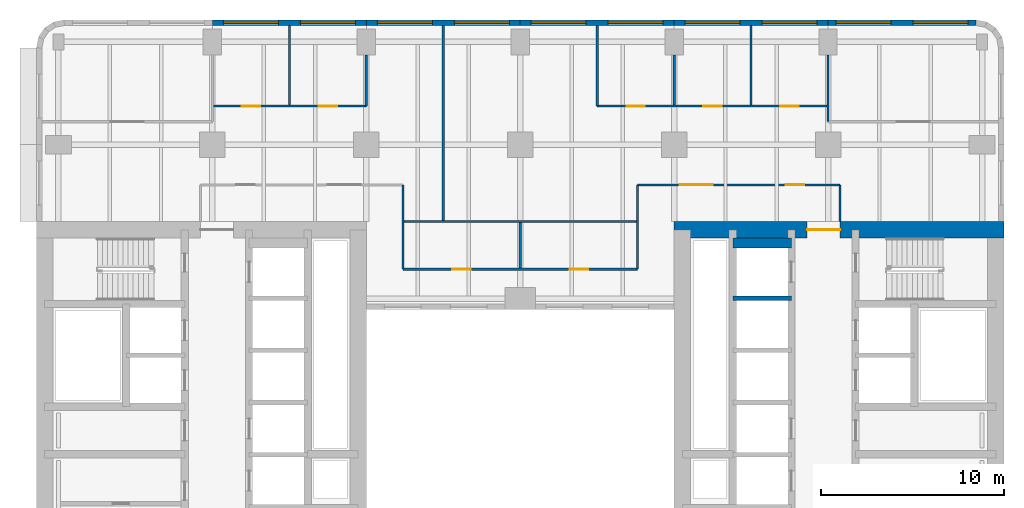
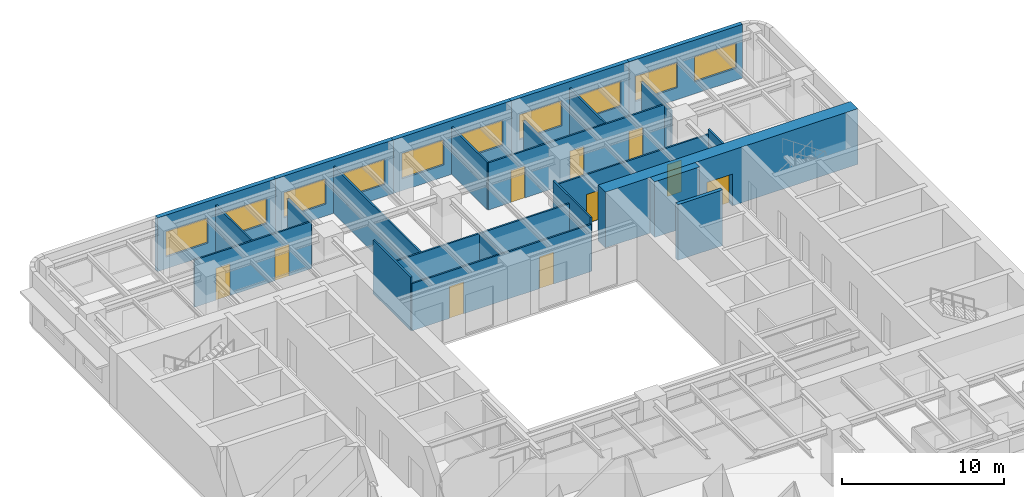
# One storey, part 7 of 11: 24 walls, 10 doors, 10 windows, 20 openings.
"""IFC4 building model written with IfcOpenShell, lengths in metres."""

from ifc_helpers import new_model, si_unit, direction, frame, frame_2d, origin, place, context, subcontext, project, spatial, rectangle, extrude, material, layer, layer_set, type_object, element, fill, save


model = new_model("IFC4")

# Units and contexts
model_context = context("Model", 3, precision=1e-05, world=origin(), true_north=direction((0.0, 1.0)))
body_context = subcontext(model_context, "Body", "Model", "MODEL_VIEW")
ifc_project = project(units=[si_unit("LENGTHUNIT", "METRE"), si_unit("AREAUNIT", "SQUARE_METRE"), si_unit("VOLUMEUNIT", "CUBIC_METRE"), si_unit("PLANEANGLEUNIT", "RADIAN"), si_unit("MASSUNIT", "GRAM", prefix="KILO")], contexts=[model_context])

# Site, building, storey
site_placement = place(None, origin())
site = spatial("IfcSite", under=ifc_project, at=site_placement, CompositionType="ELEMENT")
building_placement = place(site_placement, origin())
building = spatial("IfcBuilding", under=site, at=building_placement, Name="Claustro Exchange Tower", CompositionType="ELEMENT")
storey_placement = place(building_placement, frame((0.0, 0.0, 155.39990234375)))
storey = spatial("IfcBuildingStorey", under=building, at=storey_placement, Name="L35", CompositionType="ELEMENT", Elevation=155.39990234375)

# Wall, openings, doors
ifc_material_1 = material(Name="Laminated glass in aluminium frame", Category="aluminium")
ifc_layer_1 = layer(ifc_material_1, 0.1201171875)
ifc_layer_set_1 = layer_set([ifc_layer_1], Name="Laminated glass in aluminium frame")
wall_type_1 = type_object("IfcWallType", Name="P2 120 glazed partition", PredefinedType="PARTITIONING", material=ifc_layer_set_1)
wall_1_placement = place(storey_placement, frame((8.4580078125, 44.10009765625, 0.0), z_axis=(0.0, 0.0, 1.0), x_axis=(1.0, 0.0, 0.0)))
wall_1 = element("IfcWall", 1, at=wall_1_placement, inside=storey, type_object=wall_type_1, Name="Partition P2 L35", PredefinedType="PARTITIONING", context=body_context, shape_type="SweptSolid", body=[
    extrude(rectangle(XDim=8.342041015625, YDim=0.1201171875, at=frame_2d((4.1708984375, 0.0))), origin(), (0.0, 0.0, 1.0), 3.550048828125),
])
opening_1_placement = place(wall_1_placement, frame((1.5419921875, 0.0, 0.0)))
opening_1 = element("IfcOpeningElement", 2, at=opening_1_placement, cuts=wall_1, Name="Opening D7", PredefinedType="OPENING", context=body_context, shape_type="SweptSolid", body=[
    extrude(rectangle(XDim=1.0, YDim=2.39990234375, at=frame_2d((0.5, 1.199951171875))), frame((0.0, 0.070068359375, 0.0), z_axis=(0.0, -1.0, 0.0), x_axis=(1.0, 0.0, 0.0)), (0.0, 0.0, 1.0), 0.14013671875),
])
opening_2_placement = place(wall_1_placement, frame((5.741943359375, 0.0, 0.0)))
opening_2 = element("IfcOpeningElement", 3, at=opening_2_placement, cuts=wall_1, Name="Opening D7", PredefinedType="OPENING", context=body_context, shape_type="SweptSolid", body=[
    extrude(rectangle(XDim=1.0, YDim=2.39990234375, at=frame_2d((0.5, 1.199951171875))), frame((0.0, 0.070068359375, 0.0), z_axis=(0.0, -1.0, 0.0), x_axis=(1.0, 0.0, 0.0)), (0.0, 0.0, 1.0), 0.14013671875),
])
ifc_material_2 = material(Name="Glass door in aluminium frame", Category="aluminium")
door_type_1 = type_object("IfcDoorType", Name="D7 1000 x 2400 glazed door", OperationType="SINGLE_SWING_LEFT", PredefinedType="DOOR", material=ifc_material_2)
door_1_placement = place(opening_1_placement, origin())
door_1 = element("IfcDoor", 4, at=door_1_placement, inside=storey, type_object=door_type_1, Name="Door D7 L35", OperationType="SINGLE_SWING_RIGHT", OverallHeight=2.39990234375, OverallWidth=1.0, PredefinedType="DOOR", context=body_context, shape_type="SweptSolid", body=[
    extrude(rectangle(XDim=1.0, YDim=2.39990234375, at=frame_2d((0.5, 1.199951171875))), frame((0.0, 0.02490234375, 0.0), z_axis=(0.0, -1.0, 0.0), x_axis=(1.0, 0.0, 0.0)), (0.0, 0.0, 1.0), 0.050048828125),
])
fill(opening_1, door_1)
door_2_placement = place(opening_2_placement, origin())
door_2 = element("IfcDoor", 5, at=door_2_placement, inside=storey, type_object=door_type_1, Name="Door D7 L35", OperationType="SINGLE_SWING_LEFT", OverallHeight=2.39990234375, OverallWidth=1.0, PredefinedType="DOOR", context=body_context, shape_type="SweptSolid", body=[
    extrude(rectangle(XDim=1.0, YDim=2.39990234375, at=frame_2d((0.5, 1.199951171875))), frame((0.0, 0.02490234375, 0.0), z_axis=(0.0, -1.0, 0.0), x_axis=(1.0, 0.0, 0.0)), (0.0, 0.0, 1.0), 0.050048828125),
])
fill(opening_2, door_2)

# Walls
wall_2_placement = place(storey_placement, frame((12.60009765625, 44.157958984375, 0.0), z_axis=(0.0, 0.0, 1.0), x_axis=(0.0, 1.0, 0.0)))
element("IfcWall", 6, at=wall_2_placement, inside=storey, type_object=wall_type_1, Name="Partition P2 L35", PredefinedType="PARTITIONING", context=body_context, shape_type="SweptSolid", body=[
    extrude(rectangle(XDim=4.343994140625, YDim=0.1201171875, at=frame_2d((2.171875, 0.0))), origin(), (0.0, 0.0, 1.0), 3.56005859375),
])
wall_3_placement = place(storey_placement, frame((16.800048828125, 44.10009765625, 0.0), z_axis=(0.0, 0.0, 1.0), x_axis=(0.0, 1.0, 0.0)))
element("IfcWall", 7, at=wall_3_placement, inside=storey, type_object=wall_type_1, Name="Partition P2 L35", PredefinedType="PARTITIONING", context=body_context, shape_type="SweptSolid", body=[
    extrude(rectangle(XDim=2.80078125, YDim=0.1201171875, at=frame_2d((1.400390625, 0.0))), origin(), (0.0, 0.0, 1.0), 3.550048828125),
])

# Wall, openings, doors
wall_4_placement = place(storey_placement, frame((29.39990234375, 44.10009765625, 0.0), z_axis=(0.0, 0.0, 1.0), x_axis=(1.0, 0.0, 0.0)))
wall_4 = element("IfcWall", 8, at=wall_4_placement, inside=storey, type_object=wall_type_1, Name="Partition P2 L35", PredefinedType="PARTITIONING", context=body_context, shape_type="SweptSolid", body=[
    extrude(rectangle(XDim=12.5419921875, YDim=0.1201171875, at=frame_2d((6.27099609375, 0.0))), origin(), (0.0, 0.0, 1.0), 3.550048828125),
])
opening_3_placement = place(wall_4_placement, frame((1.60009765625, 0.0, 0.0)))
opening_3 = element("IfcOpeningElement", 9, at=opening_3_placement, cuts=wall_4, Name="Opening D7", PredefinedType="OPENING", context=body_context, shape_type="SweptSolid", body=[
    extrude(rectangle(XDim=1.0, YDim=2.39990234375, at=frame_2d((0.5, 1.199951171875))), frame((0.0, 0.070068359375, 0.0), z_axis=(0.0, -1.0, 0.0), x_axis=(1.0, 0.0, 0.0)), (0.0, 0.0, 1.0), 0.14013671875),
])
opening_4_placement = place(wall_4_placement, frame((5.800048828125, 0.0, 0.0)))
opening_4 = element("IfcOpeningElement", 10, at=opening_4_placement, cuts=wall_4, Name="Opening D7", PredefinedType="OPENING", context=body_context, shape_type="SweptSolid", body=[
    extrude(rectangle(XDim=1.0, YDim=2.39990234375, at=frame_2d((0.5, 1.199951171875))), frame((0.0, 0.070068359375, 0.0), z_axis=(0.0, -1.0, 0.0), x_axis=(1.0, 0.0, 0.0)), (0.0, 0.0, 1.0), 0.14013671875),
])
opening_5_placement = place(wall_4_placement, frame((10.0, 0.0, 0.0)))
opening_5 = element("IfcOpeningElement", 11, at=opening_5_placement, cuts=wall_4, Name="Opening D7", PredefinedType="OPENING", context=body_context, shape_type="SweptSolid", body=[
    extrude(rectangle(XDim=1.0, YDim=2.39990234375, at=frame_2d((0.5, 1.199951171875))), frame((0.0, 0.070068359375, 0.0), z_axis=(0.0, -1.0, 0.0), x_axis=(1.0, 0.0, 0.0)), (0.0, 0.0, 1.0), 0.14013671875),
])
door_3_placement = place(opening_3_placement, origin())
door_3 = element("IfcDoor", 12, at=door_3_placement, inside=storey, type_object=door_type_1, Name="Door D7 L35", OperationType="SINGLE_SWING_LEFT", OverallHeight=2.39990234375, OverallWidth=1.0, PredefinedType="DOOR", context=body_context, shape_type="SweptSolid", body=[
    extrude(rectangle(XDim=1.0, YDim=2.39990234375, at=frame_2d((0.5, 1.199951171875))), frame((0.0, 0.02490234375, 0.0), z_axis=(0.0, -1.0, 0.0), x_axis=(1.0, 0.0, 0.0)), (0.0, 0.0, 1.0), 0.050048828125),
])
fill(opening_3, door_3)
door_4_placement = place(opening_4_placement, origin())
door_4 = element("IfcDoor", 13, at=door_4_placement, inside=storey, type_object=door_type_1, Name="Door D7 L35", OperationType="SINGLE_SWING_LEFT", OverallHeight=2.39990234375, OverallWidth=1.0, PredefinedType="DOOR", context=body_context, shape_type="SweptSolid", body=[
    extrude(rectangle(XDim=1.0, YDim=2.39990234375, at=frame_2d((0.5, 1.199951171875))), frame((0.0, 0.02490234375, 0.0), z_axis=(0.0, -1.0, 0.0), x_axis=(1.0, 0.0, 0.0)), (0.0, 0.0, 1.0), 0.050048828125),
])
fill(opening_4, door_4)
door_5_placement = place(opening_5_placement, origin())
door_5 = element("IfcDoor", 14, at=door_5_placement, inside=storey, type_object=door_type_1, Name="Door D7 L35", OperationType="SINGLE_SWING_LEFT", OverallHeight=2.39990234375, OverallWidth=1.0, PredefinedType="DOOR", context=body_context, shape_type="SweptSolid", body=[
    extrude(rectangle(XDim=1.0, YDim=2.39990234375, at=frame_2d((0.5, 1.199951171875))), frame((0.0, 0.02490234375, 0.0), z_axis=(0.0, -1.0, 0.0), x_axis=(1.0, 0.0, 0.0)), (0.0, 0.0, 1.0), 0.050048828125),
])
fill(opening_5, door_5)

# Walls
wall_5_placement = place(storey_placement, frame((29.39990234375, 44.10009765625, 0.0), z_axis=(0.0, 0.0, 1.0), x_axis=(0.0, 1.0, 0.0)))
element("IfcWall", 15, at=wall_5_placement, inside=storey, type_object=wall_type_1, Name="Partition P2 L35", PredefinedType="PARTITIONING", context=body_context, shape_type="SweptSolid", body=[
    extrude(rectangle(XDim=4.40185546875, YDim=0.1201171875, at=frame_2d((2.200927734375, 0.0))), origin(), (0.0, 0.0, 1.0), 3.56005859375),
])
wall_6_placement = place(storey_placement, frame((33.60009765625, 44.157958984375, 0.0), z_axis=(0.0, 0.0, 1.0), x_axis=(0.0, 1.0, 0.0)))
element("IfcWall", 16, at=wall_6_placement, inside=storey, type_object=wall_type_1, Name="Partition P2 L35", PredefinedType="PARTITIONING", context=body_context, shape_type="SweptSolid", body=[
    extrude(rectangle(XDim=2.742919921875, YDim=0.1201171875, at=frame_2d((1.37158203125, 0.0))), origin(), (0.0, 0.0, 1.0), 3.550048828125),
])
wall_7_placement = place(storey_placement, frame((37.800048828125, 44.157958984375, 0.0), z_axis=(0.0, 0.0, 1.0), x_axis=(0.0, 1.0, 0.0)))
element("IfcWall", 17, at=wall_7_placement, inside=storey, type_object=wall_type_1, Name="Partition P2 L35", PredefinedType="PARTITIONING", context=body_context, shape_type="SweptSolid", body=[
    extrude(rectangle(XDim=4.343994140625, YDim=0.1201171875, at=frame_2d((2.171875, 0.0))), origin(), (0.0, 0.0, 1.0), 3.56005859375),
])
wall_8_placement = place(storey_placement, frame((42.0, 43.25, 0.0), z_axis=(0.0, 0.0, 1.0), x_axis=(0.0, 1.0, 0.0)))
element("IfcWall", 18, at=wall_8_placement, inside=storey, type_object=wall_type_1, Name="Partition P2 L35", PredefinedType="PARTITIONING", context=body_context, shape_type="SweptSolid", body=[
    extrude(rectangle(XDim=3.65087890625, YDim=0.1201171875, at=frame_2d((1.825439453125, 0.0))), origin(), (0.0, 0.0, 1.0), 3.550048828125),
])
wall_9_placement = place(storey_placement, frame((21.0, 37.85791015625, 0.0), z_axis=(0.0, 0.0, 1.0), x_axis=(0.0, 1.0, 0.0)))
element("IfcWall", 19, at=wall_9_placement, inside=storey, type_object=wall_type_1, Name="Partition P2 L35", PredefinedType="PARTITIONING", context=body_context, shape_type="SweptSolid", body=[
    extrude(rectangle(XDim=10.64404296875, YDim=0.1201171875, at=frame_2d((5.322021484375, 0.0))), origin(), (0.0, 0.0, 1.0), 3.550048828125),
])

# Wall, openings, doors
wall_10_placement = place(storey_placement, frame((31.60009765625, 39.800048828125, 0.0), z_axis=(0.0, 0.0, 1.0), x_axis=(1.0, 0.0, 0.0)))
wall_10 = element("IfcWall", 20, at=wall_10_placement, inside=storey, type_object=wall_type_1, Name="Partition P2 L35", PredefinedType="PARTITIONING", context=body_context, shape_type="SweptSolid", body=[
    extrude(rectangle(XDim=11.0498046875, YDim=0.1201171875, at=frame_2d((5.52490234375, 0.0))), origin(), (0.0, 0.0, 1.0), 3.690185546875),
])
opening_6_placement = place(wall_10_placement, frame((2.300048828125, 0.0, 0.0)))
opening_6 = element("IfcOpeningElement", 21, at=opening_6_placement, cuts=wall_10, Name="Opening D2", PredefinedType="OPENING", context=body_context, shape_type="SweptSolid", body=[
    extrude(rectangle(XDim=1.800048828125, YDim=2.199951171875, at=frame_2d((0.89990234375, 1.10009765625))), frame((0.0, 0.070068359375, 0.0), z_axis=(0.0, -1.0, 0.0), x_axis=(1.0, 0.0, 0.0)), (0.0, 0.0, 1.0), 0.14013671875),
])
opening_7_placement = place(wall_10_placement, frame((8.10009765625, 0.0, 0.0)))
opening_7 = element("IfcOpeningElement", 22, at=opening_7_placement, cuts=wall_10, Name="Opening D7", PredefinedType="OPENING", context=body_context, shape_type="SweptSolid", body=[
    extrude(rectangle(XDim=1.0, YDim=2.39990234375, at=frame_2d((0.5, 1.199951171875))), frame((0.0, 0.070068359375, 0.0), z_axis=(0.0, -1.0, 0.0), x_axis=(1.0, 0.0, 0.0)), (0.0, 0.0, 1.0), 0.14013671875),
])
ifc_material_3 = material(Name="Timber door, oak veneer", Category="wood")
door_type_2 = type_object("IfcDoorType", Name="D2 1800 x 2200 double door", OperationType="DOUBLE_DOOR_SINGLE_SWING", PredefinedType="DOOR", material=ifc_material_3)
door_6_placement = place(opening_6_placement, origin())
door_6 = element("IfcDoor", 23, at=door_6_placement, inside=storey, type_object=door_type_2, Name="Double door D2 L35", OperationType="DOUBLE_DOOR_SINGLE_SWING", OverallHeight=2.199951171875, OverallWidth=1.800048828125, PredefinedType="DOOR", context=body_context, shape_type="SweptSolid", body=[
    extrude(rectangle(XDim=1.800048828125, YDim=2.199951171875, at=frame_2d((0.89990234375, 1.10009765625))), frame((0.0, 0.02490234375, 0.0), z_axis=(0.0, -1.0, 0.0), x_axis=(1.0, 0.0, 0.0)), (0.0, 0.0, 1.0), 0.050048828125),
])
fill(opening_6, door_6)
door_7_placement = place(opening_7_placement, origin())
door_7 = element("IfcDoor", 24, at=door_7_placement, inside=storey, type_object=door_type_1, Name="Door D7 L35", OperationType="SINGLE_SWING_RIGHT", OverallHeight=2.39990234375, OverallWidth=1.0, PredefinedType="DOOR", context=body_context, shape_type="SweptSolid", body=[
    extrude(rectangle(XDim=1.0, YDim=2.39990234375, at=frame_2d((0.5, 1.199951171875))), frame((0.0, 0.02490234375, 0.0), z_axis=(0.0, -1.0, 0.0), x_axis=(1.0, 0.0, 0.0)), (0.0, 0.0, 1.0), 0.050048828125),
])
fill(opening_7, door_7)

# Walls
wall_11_placement = place(storey_placement, frame((42.64990234375, 37.800048828125, 0.0), z_axis=(0.0, 0.0, 1.0), x_axis=(0.0, 1.0, 0.0)))
element("IfcWall", 25, at=wall_11_placement, inside=storey, type_object=wall_type_1, Name="Partition P2 L35", PredefinedType="PARTITIONING", context=body_context, shape_type="SweptSolid", body=[
    extrude(rectangle(XDim=2.0, YDim=0.1201171875, at=frame_2d((1.0, 0.0))), origin(), (0.0, 0.0, 1.0), 4.050048828125),
])
for number, where, z_axis, x_axis, name in (
    (26, (18.800048828125, 35.199951171875, 0.0), (0.0, 0.0, 1.0), (0.0, 1.0, 0.0), "Partition P2 L35"),
    (27, (31.60009765625, 35.199951171875, 0.0), (0.0, 0.0, 1.0), (0.0, 1.0, 0.0), "Partition P2 L35"),
):
    element("IfcWall", number, at=place(storey_placement, frame(where, z_axis=z_axis, x_axis=x_axis)), inside=storey, type_object=wall_type_1, Name=name, PredefinedType="PARTITIONING", context=body_context, shape_type="SweptSolid", body=[
        extrude(rectangle(XDim=4.60009765625, YDim=0.1201171875, at=frame_2d((2.300048828125, 0.0))), origin(), (0.0, 0.0, 1.0), 4.050048828125),
    ])
wall_12_placement = place(storey_placement, frame((25.199951171875, 35.258056640625, 0.0), z_axis=(0.0, 0.0, 1.0), x_axis=(0.0, 1.0, 0.0)))
element("IfcWall", 28, at=wall_12_placement, inside=storey, type_object=wall_type_1, Name="Partition P2 L35", PredefinedType="PARTITIONING", context=body_context, shape_type="SweptSolid", body=[
    extrude(rectangle(XDim=2.48388671875, YDim=0.1201171875, at=frame_2d((1.241943359375, 0.0))), origin(), (0.0, 0.0, 1.0), 3.550048828125),
])

# Wall, openings, doors
wall_13_placement = place(storey_placement, frame((18.800048828125, 35.199951171875, 0.0), z_axis=(0.0, 0.0, 1.0), x_axis=(1.0, 0.0, 0.0)))
wall_13 = element("IfcWall", 29, at=wall_13_placement, inside=storey, type_object=wall_type_1, Name="Partition P2 L35", PredefinedType="PARTITIONING", context=body_context, shape_type="SweptSolid", body=[
    extrude(rectangle(XDim=12.800048828125, YDim=0.1201171875, at=frame_2d((6.39990234375, 0.0))), origin(), (0.0, 0.0, 1.0), 3.550048828125),
])
opening_8_placement = place(wall_13_placement, frame((2.699951171875, 0.0, 0.0)))
opening_8 = element("IfcOpeningElement", 30, at=opening_8_placement, cuts=wall_13, Name="Opening D7", PredefinedType="OPENING", context=body_context, shape_type="SweptSolid", body=[
    extrude(rectangle(XDim=1.0, YDim=2.39990234375, at=frame_2d((0.5, 1.199951171875))), frame((0.0, 0.070068359375, 0.0), z_axis=(0.0, -1.0, 0.0), x_axis=(1.0, 0.0, 0.0)), (0.0, 0.0, 1.0), 0.14013671875),
])
opening_9_placement = place(wall_13_placement, frame((9.10009765625, 0.0, 0.0)))
opening_9 = element("IfcOpeningElement", 31, at=opening_9_placement, cuts=wall_13, Name="Opening D7", PredefinedType="OPENING", context=body_context, shape_type="SweptSolid", body=[
    extrude(rectangle(XDim=1.0, YDim=2.39990234375, at=frame_2d((0.5, 1.199951171875))), frame((0.0, 0.070068359375, 0.0), z_axis=(0.0, -1.0, 0.0), x_axis=(1.0, 0.0, 0.0)), (0.0, 0.0, 1.0), 0.14013671875),
])
door_8_placement = place(opening_8_placement, origin())
door_8 = element("IfcDoor", 32, at=door_8_placement, inside=storey, type_object=door_type_1, Name="Door D7 L35", OperationType="SINGLE_SWING_RIGHT", OverallHeight=2.39990234375, OverallWidth=1.0, PredefinedType="DOOR", context=body_context, shape_type="SweptSolid", body=[
    extrude(rectangle(XDim=1.0, YDim=2.39990234375, at=frame_2d((0.5, 1.199951171875))), frame((0.0, 0.02490234375, 0.0), z_axis=(0.0, -1.0, 0.0), x_axis=(1.0, 0.0, 0.0)), (0.0, 0.0, 1.0), 0.050048828125),
])
fill(opening_8, door_8)
door_9_placement = place(opening_9_placement, origin())
door_9 = element("IfcDoor", 33, at=door_9_placement, inside=storey, type_object=door_type_1, Name="Door D7 L35", OperationType="SINGLE_SWING_LEFT", OverallHeight=2.39990234375, OverallWidth=1.0, PredefinedType="DOOR", context=body_context, shape_type="SweptSolid", body=[
    extrude(rectangle(XDim=1.0, YDim=2.39990234375, at=frame_2d((0.5, 1.199951171875))), frame((0.0, 0.02490234375, 0.0), z_axis=(0.0, -1.0, 0.0), x_axis=(1.0, 0.0, 0.0)), (0.0, 0.0, 1.0), 0.050048828125),
])
fill(opening_9, door_9)

# Wall
wall_14_placement = place(storey_placement, frame((18.85791015625, 37.800048828125, 0.0), z_axis=(0.0, 0.0, 1.0), x_axis=(1.0, 0.0, 0.0)))
element("IfcWall", 34, at=wall_14_placement, inside=storey, type_object=wall_type_1, Name="Partition P2 L35", PredefinedType="PARTITIONING", context=body_context, shape_type="SweptSolid", body=[
    extrude(rectangle(XDim=12.68408203125, YDim=0.1201171875, at=frame_2d((6.342041015625, 0.0))), origin(), (0.0, 0.0, 1.0), 3.550048828125),
])

# Wall, openings, windows
ifc_material_4 = material(Name="Concrete HA-40 (C40/50), precast, white cement, acid-etched", Category="concrete")
ifc_layer_2 = layer(ifc_material_4, 0.300048828125)
ifc_layer_set_2 = layer_set([ifc_layer_2], Name="Concrete HA-40 (C40/50), precast, white cement, acid-etched")
wall_type_2 = type_object("IfcWallType", Name="PC1 300 precast concrete pier panel", PredefinedType="SOLIDWALL", material=ifc_layer_set_2)
wall_15_placement = place(storey_placement, frame((8.39990234375, 48.64990234375, 0.0), z_axis=(0.0, 0.0, 1.0), x_axis=(1.0, 0.0, 0.0)))
wall_15 = element("IfcWall", 35, at=wall_15_placement, inside=storey, type_object=wall_type_2, Name="Precast pier panel PC1 L35", PredefinedType="SOLIDWALL", context=body_context, shape_type="SweptSolid", body=[
    extrude(rectangle(XDim=8.400146484375, YDim=0.300048828125, at=frame_2d((4.2001953125, 0.0))), origin(), (0.0, 0.0, 1.0), 4.050048828125),
])
opening_10_placement = place(wall_15_placement, frame((0.60009765625, 0.0, 0.89990234375)))
opening_10 = element("IfcOpeningElement", 36, at=opening_10_placement, cuts=wall_15, Name="Opening W1", PredefinedType="OPENING", context=body_context, shape_type="SweptSolid", body=[
    extrude(rectangle(XDim=3.0, YDim=1.89990234375, at=frame_2d((1.5, 0.949951171875))), frame((0.0, 0.159912109375, 0.0), z_axis=(0.0, -1.0, 0.0), x_axis=(1.0, 0.0, 0.0)), (0.0, 0.0, 1.0), 0.320068359375),
])
opening_11_placement = place(wall_15_placement, frame((4.800048828125, 0.0, 0.89990234375)))
opening_11 = element("IfcOpeningElement", 37, at=opening_11_placement, cuts=wall_15, Name="Opening W1", PredefinedType="OPENING", context=body_context, shape_type="SweptSolid", body=[
    extrude(rectangle(XDim=3.0, YDim=1.89990234375, at=frame_2d((1.5, 0.949951171875))), frame((0.0, 0.159912109375, 0.0), z_axis=(0.0, -1.0, 0.0), x_axis=(1.0, 0.0, 0.0)), (0.0, 0.0, 1.0), 0.320068359375),
])
ifc_material_5 = material(Name="Aluminium frame, clear double glazing", Category="aluminium")
window_type = type_object("IfcWindowType", Name="W1 3000 x 1900 window", PartitioningType="SINGLE_PANEL", PredefinedType="WINDOW", material=ifc_material_5)
window_1_placement = place(opening_10_placement, origin())
window_1 = element("IfcWindow", 38, at=window_1_placement, inside=storey, type_object=window_type, Name="Window W1 L35", OverallHeight=1.89990234375, OverallWidth=3.0, PartitioningType="SINGLE_PANEL", PredefinedType="WINDOW", context=body_context, shape_type="SweptSolid", body=[
    extrude(rectangle(XDim=3.0, YDim=1.89990234375, at=frame_2d((1.5, 0.949951171875))), frame((0.0, 0.030029296875, 0.0), z_axis=(0.0, -1.0, 0.0), x_axis=(1.0, 0.0, 0.0)), (0.0, 0.0, 1.0), 0.06005859375),
])
fill(opening_10, window_1)
window_2_placement = place(opening_11_placement, origin())
window_2 = element("IfcWindow", 39, at=window_2_placement, inside=storey, type_object=window_type, Name="Window W1 L35", OverallHeight=1.89990234375, OverallWidth=3.0, PartitioningType="SINGLE_PANEL", PredefinedType="WINDOW", context=body_context, shape_type="SweptSolid", body=[
    extrude(rectangle(XDim=3.0, YDim=1.89990234375, at=frame_2d((1.5, 0.949951171875))), frame((0.0, 0.030029296875, 0.0), z_axis=(0.0, -1.0, 0.0), x_axis=(1.0, 0.0, 0.0)), (0.0, 0.0, 1.0), 0.06005859375),
])
fill(opening_11, window_2)

wall_16_placement = place(storey_placement, frame((16.800048828125, 48.64990234375, 0.0), z_axis=(0.0, 0.0, 1.0), x_axis=(1.0, 0.0, 0.0)))
wall_16 = element("IfcWall", 40, at=wall_16_placement, inside=storey, type_object=wall_type_2, Name="Precast pier panel PC1 L35", PredefinedType="SOLIDWALL", context=body_context, shape_type="SweptSolid", body=[
    extrude(rectangle(XDim=8.39990234375, YDim=0.300048828125, at=frame_2d((4.199951171875, 0.0))), origin(), (0.0, 0.0, 1.0), 4.050048828125),
])
opening_12_placement = place(wall_16_placement, frame((0.60009765625, 0.0, 0.89990234375)))
opening_12 = element("IfcOpeningElement", 41, at=opening_12_placement, cuts=wall_16, Name="Opening W1", PredefinedType="OPENING", context=body_context, shape_type="SweptSolid", body=[
    extrude(rectangle(XDim=3.0, YDim=1.89990234375, at=frame_2d((1.5, 0.949951171875))), frame((0.0, 0.159912109375, 0.0), z_axis=(0.0, -1.0, 0.0), x_axis=(1.0, 0.0, 0.0)), (0.0, 0.0, 1.0), 0.320068359375),
])
opening_13_placement = place(wall_16_placement, frame((4.800048828125, 0.0, 0.89990234375)))
opening_13 = element("IfcOpeningElement", 42, at=opening_13_placement, cuts=wall_16, Name="Opening W1", PredefinedType="OPENING", context=body_context, shape_type="SweptSolid", body=[
    extrude(rectangle(XDim=3.0, YDim=1.89990234375, at=frame_2d((1.5, 0.949951171875))), frame((0.0, 0.159912109375, 0.0), z_axis=(0.0, -1.0, 0.0), x_axis=(1.0, 0.0, 0.0)), (0.0, 0.0, 1.0), 0.320068359375),
])
window_3_placement = place(opening_12_placement, origin())
window_3 = element("IfcWindow", 43, at=window_3_placement, inside=storey, type_object=window_type, Name="Window W1 L35", OverallHeight=1.89990234375, OverallWidth=3.0, PartitioningType="SINGLE_PANEL", PredefinedType="WINDOW", context=body_context, shape_type="SweptSolid", body=[
    extrude(rectangle(XDim=3.0, YDim=1.89990234375, at=frame_2d((1.5, 0.949951171875))), frame((0.0, 0.030029296875, 0.0), z_axis=(0.0, -1.0, 0.0), x_axis=(1.0, 0.0, 0.0)), (0.0, 0.0, 1.0), 0.06005859375),
])
fill(opening_12, window_3)
window_4_placement = place(opening_13_placement, origin())
window_4 = element("IfcWindow", 44, at=window_4_placement, inside=storey, type_object=window_type, Name="Window W1 L35", OverallHeight=1.89990234375, OverallWidth=3.0, PartitioningType="SINGLE_PANEL", PredefinedType="WINDOW", context=body_context, shape_type="SweptSolid", body=[
    extrude(rectangle(XDim=3.0, YDim=1.89990234375, at=frame_2d((1.5, 0.949951171875))), frame((0.0, 0.030029296875, 0.0), z_axis=(0.0, -1.0, 0.0), x_axis=(1.0, 0.0, 0.0)), (0.0, 0.0, 1.0), 0.06005859375),
])
fill(opening_13, window_4)

wall_17_placement = place(storey_placement, frame((25.199951171875, 48.64990234375, 0.0), z_axis=(0.0, 0.0, 1.0), x_axis=(1.0, 0.0, 0.0)))
wall_17 = element("IfcWall", 45, at=wall_17_placement, inside=storey, type_object=wall_type_2, Name="Precast pier panel PC1 L35", PredefinedType="SOLIDWALL", context=body_context, shape_type="SweptSolid", body=[
    extrude(rectangle(XDim=8.400146484375, YDim=0.300048828125, at=frame_2d((4.2001953125, 0.0))), origin(), (0.0, 0.0, 1.0), 4.050048828125),
])
opening_14_placement = place(wall_17_placement, frame((0.60009765625, 0.0, 0.89990234375)))
opening_14 = element("IfcOpeningElement", 46, at=opening_14_placement, cuts=wall_17, Name="Opening W1", PredefinedType="OPENING", context=body_context, shape_type="SweptSolid", body=[
    extrude(rectangle(XDim=3.0, YDim=1.89990234375, at=frame_2d((1.5, 0.949951171875))), frame((0.0, 0.159912109375, 0.0), z_axis=(0.0, -1.0, 0.0), x_axis=(1.0, 0.0, 0.0)), (0.0, 0.0, 1.0), 0.320068359375),
])
opening_15_placement = place(wall_17_placement, frame((4.800048828125, 0.0, 0.89990234375)))
opening_15 = element("IfcOpeningElement", 47, at=opening_15_placement, cuts=wall_17, Name="Opening W1", PredefinedType="OPENING", context=body_context, shape_type="SweptSolid", body=[
    extrude(rectangle(XDim=3.0, YDim=1.89990234375, at=frame_2d((1.5, 0.949951171875))), frame((0.0, 0.159912109375, 0.0), z_axis=(0.0, -1.0, 0.0), x_axis=(1.0, 0.0, 0.0)), (0.0, 0.0, 1.0), 0.320068359375),
])
window_5_placement = place(opening_14_placement, origin())
window_5 = element("IfcWindow", 48, at=window_5_placement, inside=storey, type_object=window_type, Name="Window W1 L35", OverallHeight=1.89990234375, OverallWidth=3.0, PartitioningType="SINGLE_PANEL", PredefinedType="WINDOW", context=body_context, shape_type="SweptSolid", body=[
    extrude(rectangle(XDim=3.0, YDim=1.89990234375, at=frame_2d((1.5, 0.949951171875))), frame((0.0, 0.030029296875, 0.0), z_axis=(0.0, -1.0, 0.0), x_axis=(1.0, 0.0, 0.0)), (0.0, 0.0, 1.0), 0.06005859375),
])
fill(opening_14, window_5)
window_6_placement = place(opening_15_placement, origin())
window_6 = element("IfcWindow", 49, at=window_6_placement, inside=storey, type_object=window_type, Name="Window W1 L35", OverallHeight=1.89990234375, OverallWidth=3.0, PartitioningType="SINGLE_PANEL", PredefinedType="WINDOW", context=body_context, shape_type="SweptSolid", body=[
    extrude(rectangle(XDim=3.0, YDim=1.89990234375, at=frame_2d((1.5, 0.949951171875))), frame((0.0, 0.030029296875, 0.0), z_axis=(0.0, -1.0, 0.0), x_axis=(1.0, 0.0, 0.0)), (0.0, 0.0, 1.0), 0.06005859375),
])
fill(opening_15, window_6)

wall_18_placement = place(storey_placement, frame((33.60009765625, 48.64990234375, 0.0), z_axis=(0.0, 0.0, 1.0), x_axis=(1.0, 0.0, 0.0)))
wall_18 = element("IfcWall", 50, at=wall_18_placement, inside=storey, type_object=wall_type_2, Name="Precast pier panel PC1 L35", PredefinedType="SOLIDWALL", context=body_context, shape_type="SweptSolid", body=[
    extrude(rectangle(XDim=8.39990234375, YDim=0.300048828125, at=frame_2d((4.199951171875, 0.0))), origin(), (0.0, 0.0, 1.0), 4.050048828125),
])
opening_16_placement = place(wall_18_placement, frame((0.60009765625, 0.0, 0.89990234375)))
opening_16 = element("IfcOpeningElement", 51, at=opening_16_placement, cuts=wall_18, Name="Opening W1", PredefinedType="OPENING", context=body_context, shape_type="SweptSolid", body=[
    extrude(rectangle(XDim=3.0, YDim=1.89990234375, at=frame_2d((1.5, 0.949951171875))), frame((0.0, 0.159912109375, 0.0), z_axis=(0.0, -1.0, 0.0), x_axis=(1.0, 0.0, 0.0)), (0.0, 0.0, 1.0), 0.320068359375),
])
opening_17_placement = place(wall_18_placement, frame((4.800048828125, 0.0, 0.89990234375)))
opening_17 = element("IfcOpeningElement", 52, at=opening_17_placement, cuts=wall_18, Name="Opening W1", PredefinedType="OPENING", context=body_context, shape_type="SweptSolid", body=[
    extrude(rectangle(XDim=3.0, YDim=1.89990234375, at=frame_2d((1.5, 0.949951171875))), frame((0.0, 0.159912109375, 0.0), z_axis=(0.0, -1.0, 0.0), x_axis=(1.0, 0.0, 0.0)), (0.0, 0.0, 1.0), 0.320068359375),
])
window_7_placement = place(opening_16_placement, origin())
window_7 = element("IfcWindow", 53, at=window_7_placement, inside=storey, type_object=window_type, Name="Window W1 L35", OverallHeight=1.89990234375, OverallWidth=3.0, PartitioningType="SINGLE_PANEL", PredefinedType="WINDOW", context=body_context, shape_type="SweptSolid", body=[
    extrude(rectangle(XDim=3.0, YDim=1.89990234375, at=frame_2d((1.5, 0.949951171875))), frame((0.0, 0.030029296875, 0.0), z_axis=(0.0, -1.0, 0.0), x_axis=(1.0, 0.0, 0.0)), (0.0, 0.0, 1.0), 0.06005859375),
])
fill(opening_16, window_7)
window_8_placement = place(opening_17_placement, origin())
window_8 = element("IfcWindow", 54, at=window_8_placement, inside=storey, type_object=window_type, Name="Window W1 L35", OverallHeight=1.89990234375, OverallWidth=3.0, PartitioningType="SINGLE_PANEL", PredefinedType="WINDOW", context=body_context, shape_type="SweptSolid", body=[
    extrude(rectangle(XDim=3.0, YDim=1.89990234375, at=frame_2d((1.5, 0.949951171875))), frame((0.0, 0.030029296875, 0.0), z_axis=(0.0, -1.0, 0.0), x_axis=(1.0, 0.0, 0.0)), (0.0, 0.0, 1.0), 0.06005859375),
])
fill(opening_17, window_8)

wall_19_placement = place(storey_placement, frame((42.0, 48.64990234375, 0.0), z_axis=(0.0, 0.0, 1.0), x_axis=(1.0, 0.0, 0.0)))
wall_19 = element("IfcWall", 55, at=wall_19_placement, inside=storey, type_object=wall_type_2, Name="Precast pier panel PC1 L35", PredefinedType="SOLIDWALL", context=body_context, shape_type="SweptSolid", body=[
    extrude(rectangle(XDim=8.085205078125, YDim=0.300048828125, at=frame_2d((4.04248046875, 0.0))), origin(), (0.0, 0.0, 1.0), 4.050048828125),
])
opening_18_placement = place(wall_19_placement, frame((0.442626953125, 0.0, 0.89990234375)))
opening_18 = element("IfcOpeningElement", 56, at=opening_18_placement, cuts=wall_19, Name="Opening W1", PredefinedType="OPENING", context=body_context, shape_type="SweptSolid", body=[
    extrude(rectangle(XDim=3.0, YDim=1.89990234375, at=frame_2d((1.5, 0.949951171875))), frame((0.0, 0.159912109375, 0.0), z_axis=(0.0, -1.0, 0.0), x_axis=(1.0, 0.0, 0.0)), (0.0, 0.0, 1.0), 0.320068359375),
])
opening_19_placement = place(wall_19_placement, frame((4.642578125, 0.0, 0.89990234375)))
opening_19 = element("IfcOpeningElement", 57, at=opening_19_placement, cuts=wall_19, Name="Opening W1", PredefinedType="OPENING", context=body_context, shape_type="SweptSolid", body=[
    extrude(rectangle(XDim=3.0, YDim=1.89990234375, at=frame_2d((1.5, 0.949951171875))), frame((0.0, 0.159912109375, 0.0), z_axis=(0.0, -1.0, 0.0), x_axis=(1.0, 0.0, 0.0)), (0.0, 0.0, 1.0), 0.320068359375),
])
window_9_placement = place(opening_18_placement, origin())
window_9 = element("IfcWindow", 58, at=window_9_placement, inside=storey, type_object=window_type, Name="Window W1 L35", OverallHeight=1.89990234375, OverallWidth=3.0, PartitioningType="SINGLE_PANEL", PredefinedType="WINDOW", context=body_context, shape_type="SweptSolid", body=[
    extrude(rectangle(XDim=3.0, YDim=1.89990234375, at=frame_2d((1.5, 0.949951171875))), frame((0.0, 0.030029296875, 0.0), z_axis=(0.0, -1.0, 0.0), x_axis=(1.0, 0.0, 0.0)), (0.0, 0.0, 1.0), 0.06005859375),
])
fill(opening_18, window_9)
window_10_placement = place(opening_19_placement, origin())
window_10 = element("IfcWindow", 59, at=window_10_placement, inside=storey, type_object=window_type, Name="Window W1 L35", OverallHeight=1.89990234375, OverallWidth=3.0, PartitioningType="SINGLE_PANEL", PredefinedType="WINDOW", context=body_context, shape_type="SweptSolid", body=[
    extrude(rectangle(XDim=3.0, YDim=1.89990234375, at=frame_2d((1.5, 0.949951171875))), frame((0.0, 0.030029296875, 0.0), z_axis=(0.0, -1.0, 0.0), x_axis=(1.0, 0.0, 0.0)), (0.0, 0.0, 1.0), 0.06005859375),
])
fill(opening_19, window_10)

# Wall, opening, door
ifc_material_6 = material(Name="Concrete HA-70 (C70/85)", Category="concrete")
ifc_layer_3 = layer(ifc_material_6, 0.89990234375)
ifc_layer_set_3 = layer_set([ifc_layer_3], Name="Concrete HA-70 (C70/85)")
wall_type_3 = type_object("IfcWallType", Name="SW1 900 core shear wall", PredefinedType="SHEAR", material=ifc_layer_set_3)
wall_20_placement = place(storey_placement, frame((33.60009765625, 37.35009765625, 0.0), z_axis=(0.0, 0.0, 1.0), x_axis=(1.0, 0.0, 0.0)))
wall_20 = element("IfcWall", 60, at=wall_20_placement, inside=storey, type_object=wall_type_3, Name="Core wall SW1 E core N face L35", PredefinedType="SHEAR", context=body_context, shape_type="SweptSolid", body=[
    extrude(rectangle(XDim=18.0, YDim=0.89990234375, at=frame_2d((9.0, 0.0))), origin(), (0.0, 0.0, 1.0), 4.2001953125),
])
opening_20_placement = place(wall_20_placement, frame((7.25, 0.0, 0.0)))
opening_20 = element("IfcOpeningElement", 61, at=opening_20_placement, cuts=wall_20, Name="Opening D3", PredefinedType="OPENING", context=body_context, shape_type="SweptSolid", body=[
    extrude(rectangle(XDim=1.800048828125, YDim=2.39990234375, at=frame_2d((0.89990234375, 1.199951171875))), frame((0.0, 0.4599609375, 0.0), z_axis=(0.0, -1.0, 0.0), x_axis=(1.0, 0.0, 0.0)), (0.0, 0.0, 1.0), 0.919921875),
])
ifc_material_7 = material(Name="Steel fire door, painted", Category="steel")
door_type_3 = type_object("IfcDoorType", Name="D3 1800 x 2400 fire-rated lobby double door", OperationType="DOUBLE_DOOR_SINGLE_SWING", PredefinedType="DOOR", material=ifc_material_7)
door_10_placement = place(opening_20_placement, frame((1.800048828125, 0.0, 0.0), z_axis=(0.0, 0.0, 1.0), x_axis=(-1.0, 0.0, 0.0)))
door_10 = element("IfcDoor", 62, at=door_10_placement, inside=storey, type_object=door_type_3, Name="Lift lobby door D3 L35", OperationType="DOUBLE_DOOR_SINGLE_SWING", OverallHeight=2.39990234375, OverallWidth=1.800048828125, PredefinedType="DOOR", context=body_context, shape_type="SweptSolid", body=[
    extrude(rectangle(XDim=1.800048828125, YDim=2.39990234375, at=frame_2d((0.89990234375, 1.199951171875))), frame((0.0, 0.02490234375, 0.0), z_axis=(0.0, -1.0, 0.0), x_axis=(1.0, 0.0, 0.0)), (0.0, 0.0, 1.0), 0.050048828125),
])
fill(opening_20, door_10)

# Walls
ifc_material_8 = material(Name="Concrete HA-50 (C50/60)", Category="concrete")
ifc_layer_4 = layer(ifc_material_8, 0.25)
ifc_layer_set_4 = layer_set([ifc_layer_4], Name="Concrete HA-50 (C50/60)")
wall_type_4 = type_object("IfcWallType", Name="SW5 250 lift shaft divider wall", PredefinedType="SHEAR", material=ifc_layer_set_4)
wall_21_placement = place(storey_placement, frame((40.0, 33.625, 0.0), z_axis=(0.0, 0.0, 1.0), x_axis=(-1.0, 0.0, 0.0)))
element("IfcWall", 63, at=wall_21_placement, inside=storey, type_object=wall_type_4, Name="Lift shaft wall E core L35", PredefinedType="SHEAR", context=body_context, shape_type="SweptSolid", body=[
    extrude(rectangle(XDim=3.199951171875, YDim=0.25, at=frame_2d((1.60009765625, 0.0))), origin(), (0.0, 0.0, 1.0), 4.2001953125),
])
ifc_material_9 = material(Name="Concrete HA-50 (C50/60)", Category="concrete")
ifc_layer_5 = layer(ifc_material_9, 0.550048828125)
ifc_layer_set_5 = layer_set([ifc_layer_5], Name="Concrete HA-50 (C50/60)")
wall_type_5 = type_object("IfcWallType", Name="SW6 550 lift shaft end wall", PredefinedType="SHEAR", material=ifc_layer_set_5)
wall_22_placement = place(storey_placement, frame((40.0, 36.625, 0.0), z_axis=(0.0, 0.0, 1.0), x_axis=(-1.0, 0.0, 0.0)))
element("IfcWall", 64, at=wall_22_placement, inside=storey, type_object=wall_type_5, Name="Lift shaft wall E core L35", PredefinedType="SHEAR", context=body_context, shape_type="SweptSolid", body=[
    extrude(rectangle(XDim=3.199951171875, YDim=0.550048828125, at=frame_2d((1.60009765625, 0.0))), origin(), (0.0, 0.0, 1.0), 4.2001953125),
])

save(model, "model.ifc")
